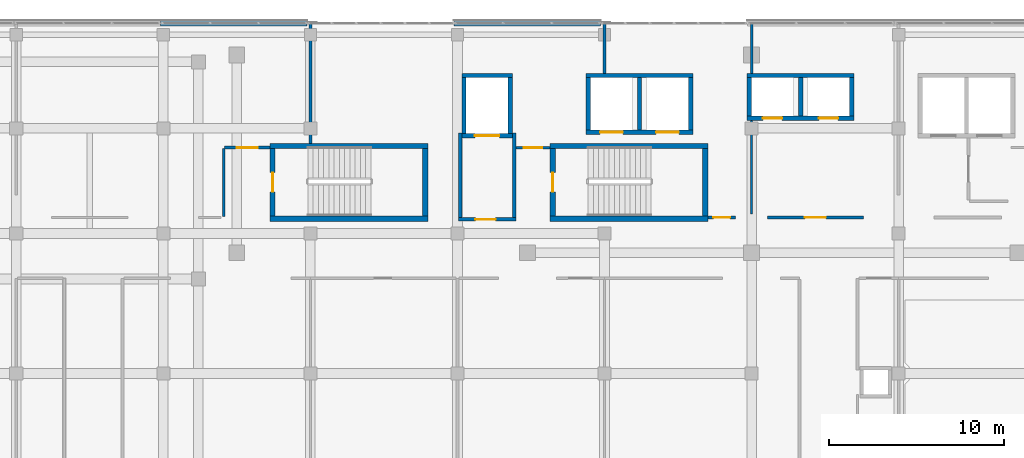
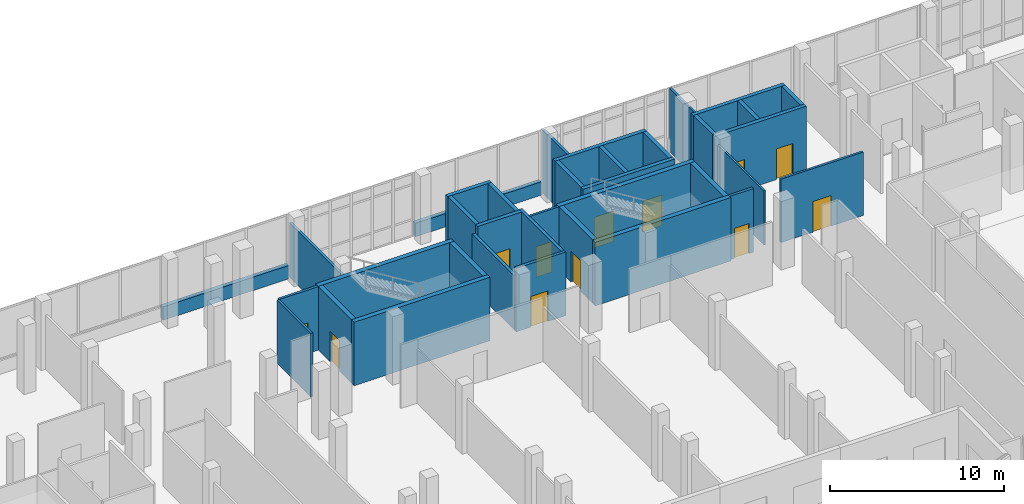
# One storey, part 138 of 155: 36 walls, 12 doors, 12 openings.
"""IFC4 building model written with IfcOpenShell, lengths in metres."""

from ifc_helpers import new_model, si_unit, direction, frame, frame_2d, origin, place, context, subcontext, project, spatial, rectangle, extrude, material, layer, layer_set, type_object, element, fill, save


model = new_model("IFC4")

# Units and contexts
model_context = context("Model", 3, precision=1e-05, world=origin(), true_north=direction((0.0, 1.0)))
body_context = subcontext(model_context, "Body", "Model", "MODEL_VIEW")
ifc_project = project(units=[si_unit("LENGTHUNIT", "METRE"), si_unit("AREAUNIT", "SQUARE_METRE"), si_unit("VOLUMEUNIT", "CUBIC_METRE"), si_unit("PLANEANGLEUNIT", "RADIAN"), si_unit("MASSUNIT", "GRAM", prefix="KILO")], contexts=[model_context])

# Site, building, storey
site_placement = place(None, origin())
site = spatial("IfcSite", under=ifc_project, at=site_placement, CompositionType="ELEMENT")
building_placement = place(site_placement, origin())
building = spatial("IfcBuilding", under=site, at=building_placement, Name="Selatvlak General Hospital", CompositionType="ELEMENT")
storey_placement = place(building_placement, frame((0.0, 0.0, 10.199951171875)))
storey = spatial("IfcBuildingStorey", under=building, at=storey_placement, Name="L02", CompositionType="ELEMENT", Elevation=10.199951171875)

# Walls
ifc_material_1 = material(Name="Precast concrete C40/50 - white Bauhaus spandrel", Category="concrete")
ifc_layer_1 = layer(ifc_material_1, 0.280029296875, Name="Precast concrete C40/50 - white Bauhaus spandrel", Category="concrete")
ifc_layer_set_1 = layer_set([ifc_layer_1], Name="Precast concrete C40/50 - white Bauhaus spandrel")
wall_type_1 = type_object("IfcWallType", Name="WALL-EW-02", PredefinedType="SOLIDWALL", material=ifc_layer_set_1)
wall_1_placement = place(storey_placement, frame((81.44189453125, 119.9990234375, 0.0), z_axis=(0.0, 0.0, 1.0), x_axis=(1.0, 0.0, 0.0)))
element("IfcWall", 1, at=wall_1_placement, inside=storey, type_object=wall_type_1, Name="L02 Bauhaus spandrel sill wall 0298", PredefinedType="SOLIDWALL", context=body_context, shape_type="SweptSolid", body=[
    extrude(rectangle(XDim=8.376220703125, YDim=0.280029296875, at=frame_2d((4.18798828125, 0.0))), origin(), (0.0, 0.0, 1.0), 0.93994140625),
])
wall_2_placement = place(storey_placement, frame((98.201904296875, 119.9990234375, 0.0), z_axis=(0.0, 0.0, 1.0), x_axis=(0.999999993202, 0.000116604477, 0.0)))
element("IfcWall", 2, at=wall_2_placement, inside=storey, type_object=wall_type_1, Name="L02 Bauhaus spandrel sill wall 0299", PredefinedType="SOLIDWALL", context=body_context, shape_type="SweptSolid", body=[
    extrude(rectangle(XDim=8.375, YDim=0.280029296875, at=frame_2d((4.1875, 0.0))), origin(), (0.0, 0.0, 1.0), 0.93994140625),
])

# Wall, opening, door
ifc_material_2 = material(Name="Concrete C40/50", Category="concrete")
ifc_layer_2 = layer(ifc_material_2, 0.199951171875, Name="Concrete C40/50", Category="concrete")
ifc_layer_set_2 = layer_set([ifc_layer_2], Name="Concrete C40/50")
wall_type_2 = type_object("IfcWallType", Name="WALL-IW-02", PredefinedType="SOLIDWALL", material=ifc_layer_set_2)
wall_3_placement = place(storey_placement, frame((98.449951171875, 108.800048828125, 0.0), z_axis=(0.0, 0.0, 1.0), x_axis=(1.0, 0.0, 0.0)))
wall_3 = element("IfcWall", 3, at=wall_3_placement, inside=storey, type_object=wall_type_2, Name="Firefighting lobby C2 wall L02 S", PredefinedType="SOLIDWALL", context=body_context, shape_type="SweptSolid", body=[
    extrude(rectangle(XDim=3.300048828125, YDim=0.199951171875, at=frame_2d((1.64990234375, 0.0))), origin(), (0.0, 0.0, 1.0), 4.4599609375),
])
opening_1_placement = place(wall_3_placement, frame((0.97509765625, 0.0, 0.0)))
opening_1 = element("IfcOpeningElement", 4, at=opening_1_placement, cuts=wall_3, Name="Opening D-06", PredefinedType="OPENING", context=body_context, shape_type="SweptSolid", body=[
    extrude(rectangle(XDim=1.14990234375, YDim=2.14990234375, at=frame_2d((0.574951171875, 1.074951171875))), frame((0.0, 0.10986328125, 0.0), z_axis=(0.0, -1.0, 0.0), x_axis=(1.0, 0.0, 0.0)), (0.0, 0.0, 1.0), 0.219970703125),
])
ifc_material_3 = material(Name="Firefighting lobby fire door")
door_type_1 = type_object("IfcDoorType", Name="DOOR-D-06", OperationType="NOTDEFINED", PredefinedType="DOOR", material=ifc_material_3)
door_1_placement = place(opening_1_placement, origin())
door_1 = element("IfcDoor", 5, at=door_1_placement, inside=storey, type_object=door_type_1, Name="Firefighting lobby C2 door on L02", OperationType="SINGLE_SWING_RIGHT", OverallHeight=2.14990234375, OverallWidth=1.14990234375, PredefinedType="DOOR", context=body_context, shape_type="SweptSolid", body=[
    extrude(rectangle(XDim=1.14990234375, YDim=2.14990234375, at=frame_2d((0.574951171875, 1.074951171875))), frame((0.0, 0.02490234375, 0.0), z_axis=(0.0, -1.0, 0.0), x_axis=(1.0, 0.0, 0.0)), (0.0, 0.0, 1.0), 0.050048828125),
])
fill(opening_1, door_1)

# Walls
wall_4_placement = place(storey_placement, frame((101.64990234375, 108.89990234375, 0.0), z_axis=(0.0, 0.0, 1.0), x_axis=(0.0, 1.0, 0.0)))
element("IfcWall", 6, at=wall_4_placement, inside=storey, type_object=wall_type_2, Name="Firefighting lobby C2 wall L02 E", PredefinedType="SOLIDWALL", context=body_context, shape_type="SweptSolid", body=[
    extrude(rectangle(XDim=4.85009765625, YDim=0.199951171875, at=frame_2d((2.425048828125, 0.0))), origin(), (0.0, 0.0, 1.0), 4.4599609375),
])
wall_5_placement = place(storey_placement, frame((98.550048828125, 113.75, 0.0), z_axis=(0.0, 0.0, 1.0), x_axis=(0.0, -1.0, 0.0)))
element("IfcWall", 7, at=wall_5_placement, inside=storey, type_object=wall_type_2, Name="Firefighting lobby C2 wall L02 W", PredefinedType="SOLIDWALL", context=body_context, shape_type="SweptSolid", body=[
    extrude(rectangle(XDim=4.85009765625, YDim=0.199951171875, at=frame_2d((2.425048828125, 0.0))), origin(), (0.0, 0.0, 1.0), 3.81005859375),
])
ifc_material_4 = material(Name="Acoustic gypsum stud partition")
ifc_layer_3 = layer(ifc_material_4, 0.179931640625, Name="Acoustic gypsum stud partition")
ifc_layer_set_3 = layer_set([ifc_layer_3], Name="Acoustic gypsum stud partition")
wall_type_3 = type_object("IfcWallType", Name="WALL-PT-01", PredefinedType="PARTITIONING", material=ifc_layer_set_3)
wall_6_placement = place(storey_placement, frame((90.0, 119.988037109375, 0.0), z_axis=(0.0, 0.0, 1.0), x_axis=(0.0, -1.0, 0.0)))
element("IfcWall", 8, at=wall_6_placement, inside=storey, type_object=wall_type_3, Name="L02 clinical partition PT-L02-1340", PredefinedType="PARTITIONING", context=body_context, shape_type="SweptSolid", body=[
    extrude(rectangle(XDim=6.841064453125, YDim=0.179931640625, at=frame_2d((3.42041015625, 0.0))), origin(), (0.0, 0.0, 1.0), 3.81005859375),
])

# Wall, opening, door
wall_7_placement = place(storey_placement, frame((114.287109375, 108.909912109375, 0.0), z_axis=(0.0, 0.0, 1.0), x_axis=(-1.0, 0.0, 0.0)))
wall_7 = element("IfcWall", 9, at=wall_7_placement, inside=storey, type_object=wall_type_3, Name="L02 clinical partition PT-L02-1350", PredefinedType="PARTITIONING", context=body_context, shape_type="SweptSolid", body=[
    extrude(rectangle(XDim=1.5771484375, YDim=0.179931640625, at=frame_2d((0.78857421875, 0.0))), origin(), (0.0, 0.0, 1.0), 4.4599609375),
])
opening_2_placement = place(wall_7_placement, frame((0.31396484375, 0.0, 0.0)))
opening_2 = element("IfcOpeningElement", 10, at=opening_2_placement, cuts=wall_7, Name="Opening D-02", PredefinedType="OPENING", context=body_context, shape_type="SweptSolid", body=[
    extrude(rectangle(XDim=0.949951171875, YDim=2.10009765625, at=frame_2d((0.47509765625, 1.050048828125))), frame((0.0, 0.099853515625, 0.0), z_axis=(0.0, -1.0, 0.0), x_axis=(1.0, 0.0, 0.0)), (0.0, 0.0, 1.0), 0.199951171875),
])
ifc_material_5 = material(Name="Moisture-resistant en-suite door")
door_type_2 = type_object("IfcDoorType", Name="DOOR-D-02", OperationType="NOTDEFINED", PredefinedType="DOOR", material=ifc_material_5)
door_2_placement = place(opening_2_placement, origin())
door_2 = element("IfcDoor", 11, at=door_2_placement, inside=storey, type_object=door_type_2, Name="L02 Sterile Instrument Preparation 71 door", OperationType="SINGLE_SWING_LEFT", OverallHeight=2.10009765625, OverallWidth=0.949951171875, PredefinedType="DOOR", context=body_context, shape_type="SweptSolid", body=[
    extrude(rectangle(XDim=0.949951171875, YDim=2.10009765625, at=frame_2d((0.47509765625, 1.050048828125))), frame((0.0, 0.02490234375, 0.0), z_axis=(0.0, -1.0, 0.0), x_axis=(1.0, 0.0, 0.0)), (0.0, 0.0, 1.0), 0.050048828125),
])
fill(opening_2, door_2)

ifc_layer_4 = layer(ifc_material_4, 0.1650390625, Name="Acoustic gypsum stud partition")
ifc_layer_set_4 = layer_set([ifc_layer_4], Name="Acoustic gypsum stud partition")
wall_type_4 = type_object("IfcWallType", Name="WALL-PT-02", PredefinedType="PARTITIONING", material=ifc_layer_set_4)
wall_8_placement = place(storey_placement, frame((87.68994140625, 112.89990234375, 0.0), z_axis=(0.0, 0.0, 1.0), x_axis=(-1.0, 0.0, 0.0)))
wall_8 = element("IfcWall", 12, at=wall_8_placement, inside=storey, type_object=wall_type_4, Name="L02 clinical partition PT-L02-1341", PredefinedType="PARTITIONING", context=body_context, shape_type="SweptSolid", body=[
    extrude(rectangle(XDim=2.58984375, YDim=0.1650390625, at=frame_2d((1.294921875, 0.0))), origin(), (0.0, 0.0, 1.0), 4.4599609375),
])
opening_3_placement = place(wall_8_placement, frame((0.695068359375, 0.0, 0.0)))
opening_3 = element("IfcOpeningElement", 13, at=opening_3_placement, cuts=wall_8, Name="Opening D-07", PredefinedType="OPENING", context=body_context, shape_type="SweptSolid", body=[
    extrude(rectangle(XDim=1.199951171875, YDim=2.14990234375, at=frame_2d((0.60009765625, 1.074951171875))), frame((0.0, 0.092529296875, 0.0), z_axis=(0.0, -1.0, 0.0), x_axis=(1.0, 0.0, 0.0)), (0.0, 0.0, 1.0), 0.18505859375),
])
ifc_material_6 = material(Name="Plant and store fire door")
door_type_3 = type_object("IfcDoorType", Name="DOOR-D-07", OperationType="NOTDEFINED", PredefinedType="DOOR", material=ifc_material_6)
door_3_placement = place(opening_3_placement, origin())
door_3 = element("IfcDoor", 14, at=door_3_placement, inside=storey, type_object=door_type_3, Name="L02 Electrophysiology Lab 68 door", OperationType="SINGLE_SWING_LEFT", OverallHeight=2.14990234375, OverallWidth=1.199951171875, PredefinedType="DOOR", context=body_context, shape_type="SweptSolid", body=[
    extrude(rectangle(XDim=1.199951171875, YDim=2.14990234375, at=frame_2d((0.60009765625, 1.074951171875))), frame((0.0, 0.02490234375, 0.0), z_axis=(0.0, -1.0, 0.0), x_axis=(1.0, 0.0, 0.0)), (0.0, 0.0, 1.0), 0.050048828125),
])
fill(opening_3, door_3)

# Walls
wall_9_placement = place(storey_placement, frame((106.800048828125, 119.989013671875, 0.0), z_axis=(0.0, 0.0, 1.0), x_axis=(0.0, -1.0, 0.0)))
element("IfcWall", 15, at=wall_9_placement, inside=storey, type_object=wall_type_4, Name="L02 clinical partition PT-L02-1346", PredefinedType="PARTITIONING", context=body_context, shape_type="SweptSolid", body=[
    extrude(rectangle(XDim=2.842041015625, YDim=0.1650390625, at=frame_2d((1.4208984375, 0.0))), origin(), (0.0, 0.0, 1.0), 4.4599609375),
])
ifc_layer_5 = layer(ifc_material_4, 0.14990234375, Name="Acoustic gypsum stud partition")
ifc_layer_set_5 = layer_set([ifc_layer_5], Name="Acoustic gypsum stud partition")
wall_type_5 = type_object("IfcWallType", Name="WALL-PT-03", PredefinedType="PARTITIONING", material=ifc_layer_set_5)
wall_10_placement = place(storey_placement, frame((85.0400390625, 112.840087890625, 0.0), z_axis=(0.0, 0.0, 1.0), x_axis=(0.0, -1.0, 0.0)))
element("IfcWall", 16, at=wall_10_placement, inside=storey, type_object=wall_type_5, Name="L02 clinical partition PT-L02-1342", PredefinedType="PARTITIONING", context=body_context, shape_type="SweptSolid", body=[
    extrude(rectangle(XDim=3.8671875, YDim=0.14990234375, at=frame_2d((1.93359375, 0.0))), origin(), (0.0, 0.0, 1.0), 4.4599609375),
])

# Wall, opening, door
wall_11_placement = place(storey_placement, frame((103.68994140625, 112.89990234375, 0.0), z_axis=(0.0, 0.0, 1.0), x_axis=(-1.0, 0.0, 0.0)))
wall_11 = element("IfcWall", 17, at=wall_11_placement, inside=storey, type_object=wall_type_5, Name="L02 clinical partition PT-L02-1347", PredefinedType="PARTITIONING", context=body_context, shape_type="SweptSolid", body=[
    extrude(rectangle(XDim=1.94287109375, YDim=0.14990234375, at=frame_2d((0.971435546875, 0.0))), origin(), (0.0, 0.0, 1.0), 4.4599609375),
])
opening_4_placement = place(wall_11_placement, frame((0.446044921875, 0.0, 0.0)))
opening_4 = element("IfcOpeningElement", 18, at=opening_4_placement, cuts=wall_11, Name="Opening D-04", PredefinedType="OPENING", context=body_context, shape_type="SweptSolid", body=[
    extrude(rectangle(XDim=1.050048828125, YDim=2.14990234375, at=frame_2d((0.52490234375, 1.074951171875))), frame((0.0, 0.0849609375, 0.0), z_axis=(0.0, -1.0, 0.0), x_axis=(1.0, 0.0, 0.0)), (0.0, 0.0, 1.0), 0.169921875),
])
ifc_material_7 = material(Name="Consultation room door")
door_type_4 = type_object("IfcDoorType", Name="DOOR-D-04", OperationType="NOTDEFINED", PredefinedType="DOOR", material=ifc_material_7)
door_4_placement = place(opening_4_placement, origin())
door_4 = element("IfcDoor", 19, at=door_4_placement, inside=storey, type_object=door_type_4, Name="L02 Surgical Day Admission Lounge 70 door", OperationType="SINGLE_SWING_RIGHT", OverallHeight=2.14990234375, OverallWidth=1.050048828125, PredefinedType="DOOR", context=body_context, shape_type="SweptSolid", body=[
    extrude(rectangle(XDim=1.050048828125, YDim=2.14990234375, at=frame_2d((0.52490234375, 1.074951171875))), frame((0.0, 0.02490234375, 0.0), z_axis=(0.0, -1.0, 0.0), x_axis=(1.0, 0.0, 0.0)), (0.0, 0.0, 1.0), 0.050048828125),
])
fill(opening_4, door_4)

wall_12_placement = place(storey_placement, frame((121.589111328125, 108.909912109375, 0.0), z_axis=(0.0, 0.0, 1.0), x_axis=(-1.0, 0.0, 0.0)))
wall_12 = element("IfcWall", 20, at=wall_12_placement, inside=storey, type_object=wall_type_5, Name="L02 clinical partition PT-L02-1352", PredefinedType="PARTITIONING", context=body_context, shape_type="SweptSolid", body=[
    extrude(rectangle(XDim=5.47607421875, YDim=0.14990234375, at=frame_2d((2.738037109375, 0.0))), origin(), (0.0, 0.0, 1.0), 4.4599609375),
])
opening_5_placement = place(wall_12_placement, frame((2.137939453125, 0.0, 0.0)))
opening_5 = element("IfcOpeningElement", 21, at=opening_5_placement, cuts=wall_12, Name="Opening D-23", PredefinedType="OPENING", context=body_context, shape_type="SweptSolid", body=[
    extrude(rectangle(XDim=1.199951171875, YDim=2.14990234375, at=frame_2d((0.60009765625, 1.074951171875))), frame((0.0, 0.0849609375, 0.0), z_axis=(0.0, -1.0, 0.0), x_axis=(1.0, 0.0, 0.0)), (0.0, 0.0, 1.0), 0.169921875),
])
ifc_material_8 = material(Name="Endoscopy clinical door")
door_type_5 = type_object("IfcDoorType", Name="DOOR-D-23", OperationType="NOTDEFINED", PredefinedType="DOOR", material=ifc_material_8)
door_5_placement = place(opening_5_placement, origin())
door_5 = element("IfcDoor", 22, at=door_5_placement, inside=storey, type_object=door_type_5, Name="L02 Anaesthetic Pre-Op Assessment 72 door", OperationType="SINGLE_SWING_RIGHT", OverallHeight=2.14990234375, OverallWidth=1.199951171875, PredefinedType="DOOR", context=body_context, shape_type="SweptSolid", body=[
    extrude(rectangle(XDim=1.199951171875, YDim=2.14990234375, at=frame_2d((0.60009765625, 1.074951171875))), frame((0.0, 0.02490234375, 0.0), z_axis=(0.0, -1.0, 0.0), x_axis=(1.0, 0.0, 0.0)), (0.0, 0.0, 1.0), 0.050048828125),
])
fill(opening_5, door_5)

# Walls
ifc_material_9 = material(Name="Moisture-resistant clinical partition")
ifc_layer_6 = layer(ifc_material_9, 0.135009765625, Name="Moisture-resistant clinical partition")
ifc_layer_set_6 = layer_set([ifc_layer_6], Name="Moisture-resistant clinical partition")
wall_type_6 = type_object("IfcWallType", Name="WALL-PT-04", PredefinedType="PARTITIONING", material=ifc_layer_set_6)
wall_13_placement = place(storey_placement, frame((115.199951171875, 119.9580078125, 0.0), z_axis=(0.0, 0.0, 1.0), x_axis=(0.0, -1.0, 0.0)))
element("IfcWall", 23, at=wall_13_placement, inside=storey, type_object=wall_type_6, Name="L02 clinical partition PT-L02-1348", PredefinedType="PARTITIONING", context=body_context, shape_type="SweptSolid", body=[
    extrude(rectangle(XDim=2.81103515625, YDim=0.135009765625, at=frame_2d((1.405517578125, 0.0))), origin(), (0.0, 0.0, 1.0), 4.4599609375),
])
ifc_layer_7 = layer(ifc_material_9, 0.1201171875, Name="Moisture-resistant clinical partition")
ifc_layer_set_7 = layer_set([ifc_layer_7], Name="Moisture-resistant clinical partition")
wall_type_7 = type_object("IfcWallType", Name="WALL-PT-05", PredefinedType="PARTITIONING", material=ifc_layer_set_7)
wall_14_placement = place(storey_placement, frame((115.199951171875, 114.452880859375, 0.0), z_axis=(0.0, 0.0, 1.0), x_axis=(0.0, -1.0, 0.0)))
element("IfcWall", 24, at=wall_14_placement, inside=storey, type_object=wall_type_7, Name="L02 clinical partition PT-L02-1349", PredefinedType="PARTITIONING", context=body_context, shape_type="SweptSolid", body=[
    extrude(rectangle(XDim=5.3427734375, YDim=0.1201171875, at=frame_2d((2.67138671875, 0.0))), origin(), (0.0, 0.0, 1.0), 3.81005859375),
])
ifc_material_10 = material(Name="Concrete C45/55", Category="concrete")
ifc_layer_8 = layer(ifc_material_10, 0.300048828125, Name="Concrete C45/55", Category="concrete")
ifc_layer_set_8 = layer_set([ifc_layer_8], Name="Concrete C45/55")
wall_type_8 = type_object("IfcWallType", Name="WALL-SW-02", PredefinedType="SHEAR", material=ifc_layer_set_8)
wall_15_placement = place(storey_placement, frame((87.68994140625, 108.840087890625, 0.0), z_axis=(0.0, 0.0, 1.0), x_axis=(1.0, 0.0, 0.0)))
element("IfcWall", 25, at=wall_15_placement, inside=storey, type_object=wall_type_8, Name="ST-02 core shear wall L02 S", PredefinedType="SHEAR", context=body_context, shape_type="SweptSolid", body=[
    extrude(rectangle(XDim=9.02001953125, YDim=0.300048828125, at=frame_2d((4.510009765625, 0.0))), origin(), (0.0, 0.0, 1.0), 4.4599609375),
])
wall_16_placement = place(storey_placement, frame((96.56005859375, 108.989990234375, 0.0), z_axis=(0.0, 0.0, 1.0), x_axis=(0.0, 1.0, 0.0)))
element("IfcWall", 26, at=wall_16_placement, inside=storey, type_object=wall_type_8, Name="ST-02 core shear wall L02 E", PredefinedType="SHEAR", context=body_context, shape_type="SweptSolid", body=[
    extrude(rectangle(XDim=3.860107421875, YDim=0.300048828125, at=frame_2d((1.93017578125, 0.0))), origin(), (0.0, 0.0, 1.0), 4.4599609375),
])
wall_17_placement = place(storey_placement, frame((96.7099609375, 113.0, 0.0), z_axis=(0.0, 0.0, 1.0), x_axis=(-1.0, 0.0, 0.0)))
element("IfcWall", 27, at=wall_17_placement, inside=storey, type_object=wall_type_8, Name="ST-02 core shear wall L02 N", PredefinedType="SHEAR", context=body_context, shape_type="SweptSolid", body=[
    extrude(rectangle(XDim=9.02001953125, YDim=0.300048828125, at=frame_2d((4.510009765625, 0.0))), origin(), (0.0, 0.0, 1.0), 4.4599609375),
])

# Wall, opening, door
wall_18_placement = place(storey_placement, frame((87.840087890625, 112.85009765625, 0.0), z_axis=(0.0, 0.0, 1.0), x_axis=(0.0, -1.0, 0.0)))
wall_18 = element("IfcWall", 28, at=wall_18_placement, inside=storey, type_object=wall_type_8, Name="ST-02 core shear wall L02 W", PredefinedType="SHEAR", context=body_context, shape_type="SweptSolid", body=[
    extrude(rectangle(XDim=3.860107421875, YDim=0.300048828125, at=frame_2d((1.93017578125, 0.0))), origin(), (0.0, 0.0, 1.0), 4.4599609375),
])
opening_6_placement = place(wall_18_placement, frame((1.3798828125, 0.0, 0.0)))
opening_6 = element("IfcOpeningElement", 29, at=opening_6_placement, cuts=wall_18, Name="Opening D-05", PredefinedType="OPENING", context=body_context, shape_type="SweptSolid", body=[
    extrude(rectangle(XDim=1.10009765625, YDim=2.14990234375, at=frame_2d((0.550048828125, 1.074951171875))), frame((0.0, 0.159912109375, 0.0), z_axis=(0.0, -1.0, 0.0), x_axis=(1.0, 0.0, 0.0)), (0.0, 0.0, 1.0), 0.320068359375),
])
ifc_material_11 = material(Name="Protected stair fire door")
door_type_6 = type_object("IfcDoorType", Name="DOOR-D-05", OperationType="NOTDEFINED", PredefinedType="DOOR", material=ifc_material_11)
door_6_placement = place(opening_6_placement, origin())
door_6 = element("IfcDoor", 30, at=door_6_placement, inside=storey, type_object=door_type_6, Name="ST-02 protected stair door on L02", OperationType="SINGLE_SWING_LEFT", OverallHeight=2.14990234375, OverallWidth=1.10009765625, PredefinedType="DOOR", context=body_context, shape_type="SweptSolid", body=[
    extrude(rectangle(XDim=1.10009765625, YDim=2.14990234375, at=frame_2d((0.550048828125, 1.074951171875))), frame((0.0, 0.02490234375, 0.0), z_axis=(0.0, -1.0, 0.0), x_axis=(1.0, 0.0, 0.0)), (0.0, 0.0, 1.0), 0.050048828125),
])
fill(opening_6, door_6)

# Walls
wall_19_placement = place(storey_placement, frame((103.68994140625, 108.840087890625, 0.0), z_axis=(0.0, 0.0, 1.0), x_axis=(1.0, 0.0, 0.0)))
element("IfcWall", 31, at=wall_19_placement, inside=storey, type_object=wall_type_8, Name="ST-03 core shear wall L02 S", PredefinedType="SHEAR", context=body_context, shape_type="SweptSolid", body=[
    extrude(rectangle(XDim=9.02001953125, YDim=0.300048828125, at=frame_2d((4.510009765625, 0.0))), origin(), (0.0, 0.0, 1.0), 4.4599609375),
])
wall_20_placement = place(storey_placement, frame((112.56005859375, 108.989990234375, 0.0), z_axis=(0.0, 0.0, 1.0), x_axis=(0.0, 1.0, 0.0)))
element("IfcWall", 32, at=wall_20_placement, inside=storey, type_object=wall_type_8, Name="ST-03 core shear wall L02 E", PredefinedType="SHEAR", context=body_context, shape_type="SweptSolid", body=[
    extrude(rectangle(XDim=3.860107421875, YDim=0.300048828125, at=frame_2d((1.93017578125, 0.0))), origin(), (0.0, 0.0, 1.0), 4.4599609375),
])
wall_21_placement = place(storey_placement, frame((112.7099609375, 113.0, 0.0), z_axis=(0.0, 0.0, 1.0), x_axis=(-1.0, 0.0, 0.0)))
element("IfcWall", 33, at=wall_21_placement, inside=storey, type_object=wall_type_8, Name="ST-03 core shear wall L02 N", PredefinedType="SHEAR", context=body_context, shape_type="SweptSolid", body=[
    extrude(rectangle(XDim=9.02001953125, YDim=0.300048828125, at=frame_2d((4.510009765625, 0.0))), origin(), (0.0, 0.0, 1.0), 4.4599609375),
])

# Wall, opening, door
wall_22_placement = place(storey_placement, frame((103.840087890625, 112.85009765625, 0.0), z_axis=(0.0, 0.0, 1.0), x_axis=(0.0, -1.0, 0.0)))
wall_22 = element("IfcWall", 34, at=wall_22_placement, inside=storey, type_object=wall_type_8, Name="ST-03 core shear wall L02 W", PredefinedType="SHEAR", context=body_context, shape_type="SweptSolid", body=[
    extrude(rectangle(XDim=3.860107421875, YDim=0.300048828125, at=frame_2d((1.93017578125, 0.0))), origin(), (0.0, 0.0, 1.0), 4.4599609375),
])
opening_7_placement = place(wall_22_placement, frame((1.3798828125, 0.0, 0.0)))
opening_7 = element("IfcOpeningElement", 35, at=opening_7_placement, cuts=wall_22, Name="Opening D-05", PredefinedType="OPENING", context=body_context, shape_type="SweptSolid", body=[
    extrude(rectangle(XDim=1.10009765625, YDim=2.14990234375, at=frame_2d((0.550048828125, 1.074951171875))), frame((0.0, 0.159912109375, 0.0), z_axis=(0.0, -1.0, 0.0), x_axis=(1.0, 0.0, 0.0)), (0.0, 0.0, 1.0), 0.320068359375),
])
door_7_placement = place(opening_7_placement, origin())
door_7 = element("IfcDoor", 36, at=door_7_placement, inside=storey, type_object=door_type_6, Name="ST-03 protected stair door on L02", OperationType="SINGLE_SWING_RIGHT", OverallHeight=2.14990234375, OverallWidth=1.10009765625, PredefinedType="DOOR", context=body_context, shape_type="SweptSolid", body=[
    extrude(rectangle(XDim=1.10009765625, YDim=2.14990234375, at=frame_2d((0.550048828125, 1.074951171875))), frame((0.0, 0.02490234375, 0.0), z_axis=(0.0, -1.0, 0.0), x_axis=(1.0, 0.0, 0.0)), (0.0, 0.0, 1.0), 0.050048828125),
])
fill(opening_7, door_7)

ifc_layer_9 = layer(ifc_material_2, 0.25, Name="Concrete C40/50", Category="concrete")
ifc_layer_set_9 = layer_set([ifc_layer_9], Name="Concrete C40/50")
wall_type_9 = type_object("IfcWallType", Name="WALL-SW-03", PredefinedType="SHEAR", material=ifc_layer_set_9)
wall_23_placement = place(storey_placement, frame((98.64990234375, 113.574951171875, 0.0), z_axis=(0.0, 0.0, 1.0), x_axis=(1.0, 0.0, 0.0)))
wall_23 = element("IfcWall", 37, at=wall_23_placement, inside=storey, type_object=wall_type_9, Name="Lift LF-02 shaft wall L02 S", PredefinedType="SHEAR", context=body_context, shape_type="SweptSolid", body=[
    extrude(rectangle(XDim=2.900146484375, YDim=0.25, at=frame_2d((1.4501953125, 0.0))), origin(), (0.0, 0.0, 1.0), 4.4599609375),
])
opening_8_placement = place(wall_23_placement, frame((0.75, 0.0, 0.0)))
opening_8 = element("IfcOpeningElement", 38, at=opening_8_placement, cuts=wall_23, Name="Opening LD-F1", PredefinedType="OPENING", context=body_context, shape_type="SweptSolid", body=[
    extrude(rectangle(XDim=1.39990234375, YDim=2.14990234375, at=frame_2d((0.699951171875, 1.074951171875))), frame((0.0, 0.135009765625, 0.0), z_axis=(0.0, -1.0, 0.0), x_axis=(1.0, 0.0, 0.0)), (0.0, 0.0, 1.0), 0.27001953125),
])
ifc_material_12 = material(Name="Stainless steel fire lift landing door", Category="steel")
door_type_7 = type_object("IfcDoorType", Name="DOOR-LD-F1", OperationType="DOUBLE_DOOR_SLIDING", PredefinedType="DOOR", material=ifc_material_12)
door_8_placement = place(opening_8_placement, origin())
door_8 = element("IfcDoor", 39, at=door_8_placement, inside=storey, type_object=door_type_7, Name="Lift LF-02 sliding landing door on L02", OperationType="DOUBLE_DOOR_SLIDING", OverallHeight=2.14990234375, OverallWidth=1.39990234375, PredefinedType="DOOR", context=body_context, shape_type="SweptSolid", body=[
    extrude(rectangle(XDim=1.39990234375, YDim=2.14990234375, at=frame_2d((0.699951171875, 1.074951171875))), frame((0.0, 0.02490234375, 0.0), z_axis=(0.0, -1.0, 0.0), x_axis=(1.0, 0.0, 0.0)), (0.0, 0.0, 1.0), 0.050048828125),
])
fill(opening_8, door_8)

# Walls
wall_24_placement = place(storey_placement, frame((101.425048828125, 113.699951171875, 0.0), z_axis=(0.0, 0.0, 1.0), x_axis=(0.0, 1.0, 0.0)))
element("IfcWall", 40, at=wall_24_placement, inside=storey, type_object=wall_type_9, Name="Lift LF-02 shaft wall L02 E", PredefinedType="SHEAR", context=body_context, shape_type="SweptSolid", body=[
    extrude(rectangle(XDim=3.199951171875, YDim=0.25, at=frame_2d((1.60009765625, 0.0))), origin(), (0.0, 0.0, 1.0), 4.4599609375),
])
wall_25_placement = place(storey_placement, frame((101.550048828125, 117.02490234375, 0.0), z_axis=(0.0, 0.0, 1.0), x_axis=(-1.0, 0.0, 0.0)))
element("IfcWall", 41, at=wall_25_placement, inside=storey, type_object=wall_type_9, Name="Lift LF-02 shaft wall L02 N", PredefinedType="SHEAR", context=body_context, shape_type="SweptSolid", body=[
    extrude(rectangle(XDim=2.900146484375, YDim=0.25, at=frame_2d((1.4501953125, 0.0))), origin(), (0.0, 0.0, 1.0), 4.4599609375),
])
wall_26_placement = place(storey_placement, frame((98.77490234375, 116.89990234375, 0.0), z_axis=(0.0, 0.0, 1.0), x_axis=(0.0, -1.0, 0.0)))
element("IfcWall", 42, at=wall_26_placement, inside=storey, type_object=wall_type_9, Name="Lift LF-02 shaft wall L02 W", PredefinedType="SHEAR", context=body_context, shape_type="SweptSolid", body=[
    extrude(rectangle(XDim=3.199951171875, YDim=0.25, at=frame_2d((1.60009765625, 0.0))), origin(), (0.0, 0.0, 1.0), 4.4599609375),
])

# Wall, openings, doors
wall_27_placement = place(storey_placement, frame((105.75, 113.77490234375, 0.0), z_axis=(0.0, 0.0, 1.0), x_axis=(1.0, 0.0, 0.0)))
wall_27 = element("IfcWall", 43, at=wall_27_placement, inside=storey, type_object=wall_type_9, Name="Lift LS-01-LS-02 shaft wall L02 S", PredefinedType="SHEAR", context=body_context, shape_type="SweptSolid", body=[
    extrude(rectangle(XDim=6.10009765625, YDim=0.25, at=frame_2d((3.050048828125, 0.0))), origin(), (0.0, 0.0, 1.0), 4.4599609375),
])
opening_9_placement = place(wall_27_placement, frame((0.800048828125, 0.0, 0.0)))
opening_9 = element("IfcOpeningElement", 44, at=opening_9_placement, cuts=wall_27, Name="Opening LD-S1", PredefinedType="OPENING", context=body_context, shape_type="SweptSolid", body=[
    extrude(rectangle(XDim=1.300048828125, YDim=2.14990234375, at=frame_2d((0.64990234375, 1.074951171875))), frame((0.0, 0.135009765625, 0.0), z_axis=(0.0, -1.0, 0.0), x_axis=(1.0, 0.0, 0.0)), (0.0, 0.0, 1.0), 0.27001953125),
])
opening_10_placement = place(wall_27_placement, frame((4.0, 0.0, 0.0)))
opening_10 = element("IfcOpeningElement", 45, at=opening_10_placement, cuts=wall_27, Name="Opening LD-S1", PredefinedType="OPENING", context=body_context, shape_type="SweptSolid", body=[
    extrude(rectangle(XDim=1.300048828125, YDim=2.14990234375, at=frame_2d((0.64990234375, 1.074951171875))), frame((0.0, 0.135009765625, 0.0), z_axis=(0.0, -1.0, 0.0), x_axis=(1.0, 0.0, 0.0)), (0.0, 0.0, 1.0), 0.27001953125),
])
ifc_material_13 = material(Name="Stainless steel goods lift landing door", Category="steel")
door_type_8 = type_object("IfcDoorType", Name="DOOR-LD-S1", OperationType="DOUBLE_DOOR_SLIDING", PredefinedType="DOOR", material=ifc_material_13)
door_9_placement = place(opening_9_placement, origin())
door_9 = element("IfcDoor", 46, at=door_9_placement, inside=storey, type_object=door_type_8, Name="Lift LS-01 sliding landing door on L02", OperationType="DOUBLE_DOOR_SLIDING", OverallHeight=2.14990234375, OverallWidth=1.300048828125, PredefinedType="DOOR", context=body_context, shape_type="SweptSolid", body=[
    extrude(rectangle(XDim=1.300048828125, YDim=2.14990234375, at=frame_2d((0.64990234375, 1.074951171875))), frame((0.0, 0.02490234375, 0.0), z_axis=(0.0, -1.0, 0.0), x_axis=(1.0, 0.0, 0.0)), (0.0, 0.0, 1.0), 0.050048828125),
])
fill(opening_9, door_9)
door_10_placement = place(opening_10_placement, origin())
door_10 = element("IfcDoor", 47, at=door_10_placement, inside=storey, type_object=door_type_8, Name="Lift LS-02 sliding landing door on L02", OperationType="DOUBLE_DOOR_SLIDING", OverallHeight=2.14990234375, OverallWidth=1.300048828125, PredefinedType="DOOR", context=body_context, shape_type="SweptSolid", body=[
    extrude(rectangle(XDim=1.300048828125, YDim=2.14990234375, at=frame_2d((0.64990234375, 1.074951171875))), frame((0.0, 0.02490234375, 0.0), z_axis=(0.0, -1.0, 0.0), x_axis=(1.0, 0.0, 0.0)), (0.0, 0.0, 1.0), 0.050048828125),
])
fill(opening_10, door_10)

# Walls
wall_28_placement = place(storey_placement, frame((111.72509765625, 113.89990234375, 0.0), z_axis=(0.0, 0.0, 1.0), x_axis=(0.0, 1.0, 0.0)))
element("IfcWall", 48, at=wall_28_placement, inside=storey, type_object=wall_type_9, Name="Lift LS-01-LS-02 shaft wall L02 E", PredefinedType="SHEAR", context=body_context, shape_type="SweptSolid", body=[
    extrude(rectangle(XDim=3.0, YDim=0.25, at=frame_2d((1.5, 0.0))), origin(), (0.0, 0.0, 1.0), 4.4599609375),
])
wall_29_placement = place(storey_placement, frame((111.85009765625, 117.02490234375, 0.0), z_axis=(0.0, 0.0, 1.0), x_axis=(-1.0, 0.0, 0.0)))
element("IfcWall", 49, at=wall_29_placement, inside=storey, type_object=wall_type_9, Name="Lift LS-01-LS-02 shaft wall L02 N", PredefinedType="SHEAR", context=body_context, shape_type="SweptSolid", body=[
    extrude(rectangle(XDim=6.10009765625, YDim=0.25, at=frame_2d((3.050048828125, 0.0))), origin(), (0.0, 0.0, 1.0), 4.4599609375),
])
for number, where, z_axis, x_axis, name in (
    (50, (105.875, 116.89990234375, 0.0), (0.0, 0.0, 1.0), (0.0, -1.0, 0.0), "Lift LS-01-LS-02 shaft wall L02 W"),
    (51, (108.800048828125, 113.89990234375, 0.0), (0.0, 0.0, 1.0), (0.0, 1.0, 0.0), "Lift LS-01-LS-02 dividing shaft wall L02"),
):
    element("IfcWall", number, at=place(storey_placement, frame(where, z_axis=z_axis, x_axis=x_axis)), inside=storey, type_object=wall_type_9, Name=name, PredefinedType="SHEAR", context=body_context, shape_type="SweptSolid", body=[
        extrude(rectangle(XDim=3.0, YDim=0.25, at=frame_2d((1.5, 0.0))), origin(), (0.0, 0.0, 1.0), 4.4599609375),
    ])

# Wall, openings, doors
wall_30_placement = place(storey_placement, frame((114.949951171875, 114.574951171875, 0.0), z_axis=(0.0, 0.0, 1.0), x_axis=(1.0, 0.0, 0.0)))
wall_30 = element("IfcWall", 52, at=wall_30_placement, inside=storey, type_object=wall_type_9, Name="Lift LP-05-LP-06 shaft wall L02 S", PredefinedType="SHEAR", context=body_context, shape_type="SweptSolid", body=[
    extrude(rectangle(XDim=6.10009765625, YDim=0.25, at=frame_2d((3.050048828125, 0.0))), origin(), (0.0, 0.0, 1.0), 4.4599609375),
])
opening_11_placement = place(wall_30_placement, frame((0.89990234375, 0.0, 0.0)))
opening_11 = element("IfcOpeningElement", 53, at=opening_11_placement, cuts=wall_30, Name="Opening LD-P1", PredefinedType="OPENING", context=body_context, shape_type="SweptSolid", body=[
    extrude(rectangle(XDim=1.10009765625, YDim=2.14990234375, at=frame_2d((0.550048828125, 1.074951171875))), frame((0.0, 0.135009765625, 0.0), z_axis=(0.0, -1.0, 0.0), x_axis=(1.0, 0.0, 0.0)), (0.0, 0.0, 1.0), 0.27001953125),
])
opening_12_placement = place(wall_30_placement, frame((4.10009765625, 0.0, 0.0)))
opening_12 = element("IfcOpeningElement", 54, at=opening_12_placement, cuts=wall_30, Name="Opening LD-P1", PredefinedType="OPENING", context=body_context, shape_type="SweptSolid", body=[
    extrude(rectangle(XDim=1.10009765625, YDim=2.14990234375, at=frame_2d((0.550048828125, 1.074951171875))), frame((0.0, 0.135009765625, 0.0), z_axis=(0.0, -1.0, 0.0), x_axis=(1.0, 0.0, 0.0)), (0.0, 0.0, 1.0), 0.27001953125),
])
ifc_material_14 = material(Name="Stainless steel passenger lift landing door", Category="steel")
door_type_9 = type_object("IfcDoorType", Name="DOOR-LD-P1", OperationType="DOUBLE_DOOR_SLIDING", PredefinedType="DOOR", material=ifc_material_14)
door_11_placement = place(opening_11_placement, origin())
door_11 = element("IfcDoor", 55, at=door_11_placement, inside=storey, type_object=door_type_9, Name="Lift LP-05 sliding landing door on L02", OperationType="DOUBLE_DOOR_SLIDING", OverallHeight=2.14990234375, OverallWidth=1.10009765625, PredefinedType="DOOR", context=body_context, shape_type="SweptSolid", body=[
    extrude(rectangle(XDim=1.10009765625, YDim=2.14990234375, at=frame_2d((0.550048828125, 1.074951171875))), frame((0.0, 0.02490234375, 0.0), z_axis=(0.0, -1.0, 0.0), x_axis=(1.0, 0.0, 0.0)), (0.0, 0.0, 1.0), 0.050048828125),
])
fill(opening_11, door_11)
door_12_placement = place(opening_12_placement, origin())
door_12 = element("IfcDoor", 56, at=door_12_placement, inside=storey, type_object=door_type_9, Name="Lift LP-06 sliding landing door on L02", OperationType="DOUBLE_DOOR_SLIDING", OverallHeight=2.14990234375, OverallWidth=1.10009765625, PredefinedType="DOOR", context=body_context, shape_type="SweptSolid", body=[
    extrude(rectangle(XDim=1.10009765625, YDim=2.14990234375, at=frame_2d((0.550048828125, 1.074951171875))), frame((0.0, 0.02490234375, 0.0), z_axis=(0.0, -1.0, 0.0), x_axis=(1.0, 0.0, 0.0)), (0.0, 0.0, 1.0), 0.050048828125),
])
fill(opening_12, door_12)

# Walls
wall_31_placement = place(storey_placement, frame((120.925048828125, 114.699951171875, 0.0), z_axis=(0.0, 0.0, 1.0), x_axis=(0.0, 1.0, 0.0)))
element("IfcWall", 57, at=wall_31_placement, inside=storey, type_object=wall_type_9, Name="Lift LP-05-LP-06 shaft wall L02 E", PredefinedType="SHEAR", context=body_context, shape_type="SweptSolid", body=[
    extrude(rectangle(XDim=2.199951171875, YDim=0.25, at=frame_2d((1.10009765625, 0.0))), origin(), (0.0, 0.0, 1.0), 4.4599609375),
])
wall_32_placement = place(storey_placement, frame((121.050048828125, 117.02490234375, 0.0), z_axis=(0.0, 0.0, 1.0), x_axis=(-1.0, 0.0, 0.0)))
element("IfcWall", 58, at=wall_32_placement, inside=storey, type_object=wall_type_9, Name="Lift LP-05-LP-06 shaft wall L02 N", PredefinedType="SHEAR", context=body_context, shape_type="SweptSolid", body=[
    extrude(rectangle(XDim=6.10009765625, YDim=0.25, at=frame_2d((3.050048828125, 0.0))), origin(), (0.0, 0.0, 1.0), 4.4599609375),
])
for number, where, z_axis, x_axis, name in (
    (59, (115.074951171875, 116.89990234375, 0.0), (0.0, 0.0, 1.0), (0.0, -1.0, 0.0), "Lift LP-05-LP-06 shaft wall L02 W"),
    (60, (118.0, 114.699951171875, 0.0), (0.0, 0.0, 1.0), (0.0, 1.0, 0.0), "Lift LP-05-LP-06 dividing shaft wall L02"),
):
    element("IfcWall", number, at=place(storey_placement, frame(where, z_axis=z_axis, x_axis=x_axis)), inside=storey, type_object=wall_type_9, Name=name, PredefinedType="SHEAR", context=body_context, shape_type="SweptSolid", body=[
        extrude(rectangle(XDim=2.199951171875, YDim=0.25, at=frame_2d((1.10009765625, 0.0))), origin(), (0.0, 0.0, 1.0), 4.4599609375),
    ])

save(model, "model.ifc")
